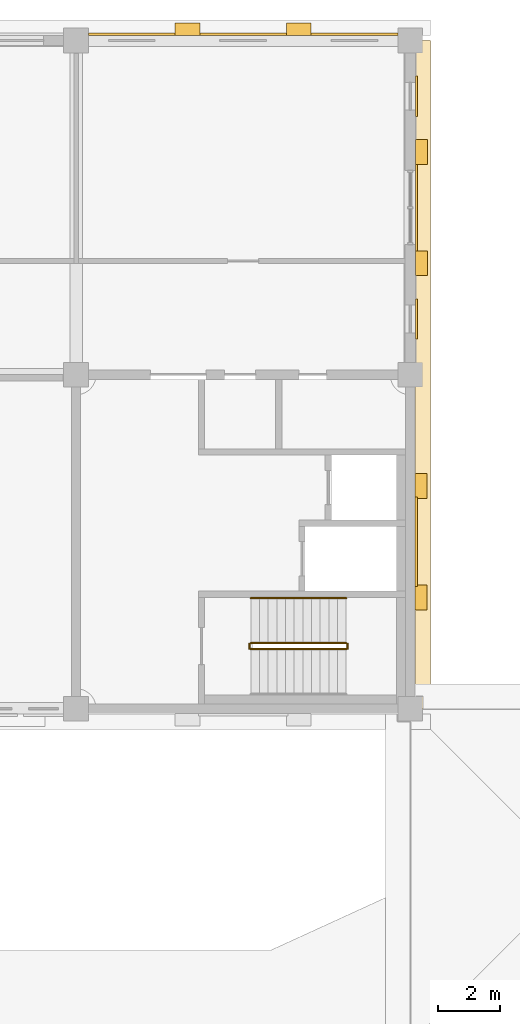
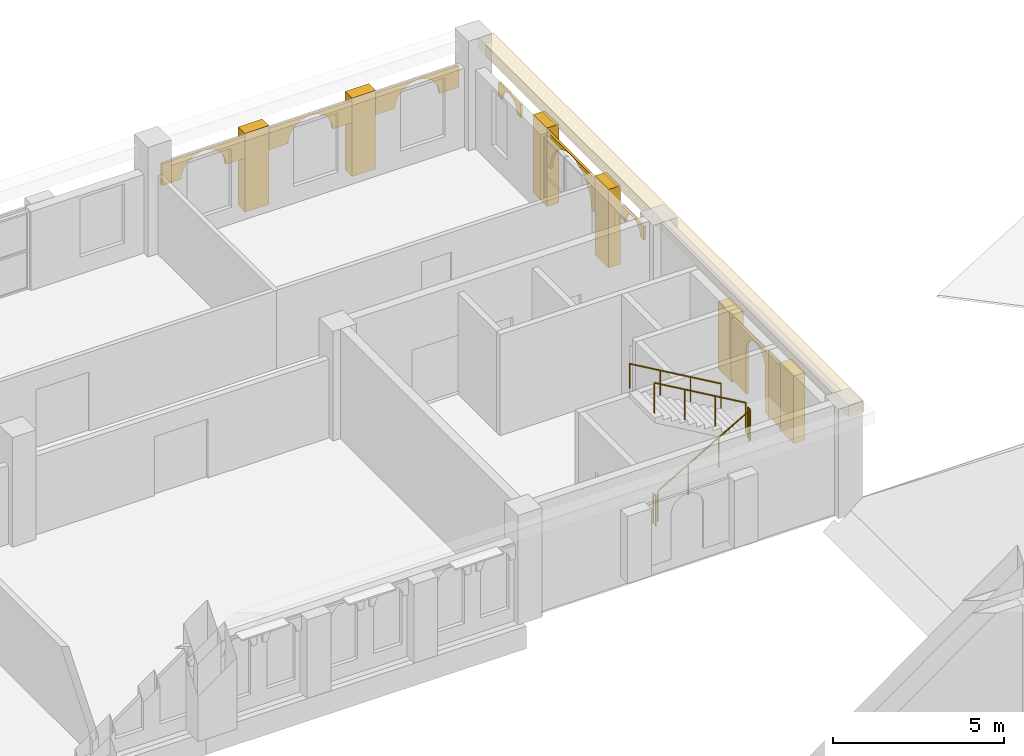
# One storey, part 55 of 56: 14 coverings, 5 railings.
"""IFC4 building model written with IfcOpenShell, lengths in metres."""

from ifc_helpers import new_model, si_unit, direction, frame, origin, origin_2d, place, context, subcontext, project, spatial, polyline, rectangle, circle, outline, extrude, material, layer, layer_set, type_object, element, save


model = new_model("IFC4")

# Units and contexts
model_context = context("Model", 3, precision=1e-05, world=origin(), true_north=direction((0.0, 1.0)))
body_context = subcontext(model_context, "Body", "Model", "MODEL_VIEW")
ifc_project = project(units=[si_unit("LENGTHUNIT", "METRE"), si_unit("AREAUNIT", "SQUARE_METRE"), si_unit("VOLUMEUNIT", "CUBIC_METRE"), si_unit("PLANEANGLEUNIT", "RADIAN"), si_unit("MASSUNIT", "GRAM", prefix="KILO")], contexts=[model_context])

# Site, building, storey
site_placement = place(None, origin())
site = spatial("IfcSite", under=ifc_project, at=site_placement, CompositionType="ELEMENT")
building_placement = place(site_placement, origin())
building = spatial("IfcBuilding", under=site, at=building_placement, Name="Magnolia Steps Interchange", CompositionType="ELEMENT")
storey_placement = place(building_placement, frame((0.0, 0.0, 8.699951171875)))
storey = spatial("IfcBuildingStorey", under=building, at=storey_placement, Name="L02", CompositionType="ELEMENT", Elevation=8.699951171875)

# Coverings
ifc_material_1 = material(Name="Lime render")
ifc_layer_1 = layer(ifc_material_1, 0.080078125)
ifc_layer_set_1 = layer_set([ifc_layer_1], Name="Lime render arch infill")
covering_type_1 = type_object("IfcCoveringType", Name="Lime render arch infill", PredefinedType="CLADDING", material=ifc_layer_set_1)
covering_1_placement = place(storey_placement, frame((118.16259765625, 111.199951171875, 1.47998046875), z_axis=(-1.0, 0.0, 0.0), x_axis=(0.0, 0.0, 1.0)))
element("IfcCovering", 1, at=covering_1_placement, inside=storey, type_object=covering_type_1, Name="Arched head over opening g2", PredefinedType="CLADDING", context=body_context, shape_type="SweptSolid", body=[
    extrude(outline(polyline([(0.0, 0.0), (1.219970703, 0.0), (1.219970703, 2.800048828), (0.0, 2.800048828), (0.0, 2.600097656), (0.267089844, 2.570068359), (0.520751953, 2.481201172), (0.748291016, 2.338134766), (0.938232422, 2.148193359), (1.081298828, 1.920654297), (1.169921875, 1.666992188), (1.199951172, 1.400146484), (1.169921875, 1.133056641), (1.081298828, 0.879394531), (0.938232422, 0.651855469), (0.748291016, 0.461914062), (0.520751953, 0.318847656), (0.267089844, 0.230224609), (0.0, 0.199951172), (0.0, 0.0)])), origin(), (0.0, 0.0, -1.0), 0.080078125),
])
covering_2_placement = place(storey_placement, frame((118.16259765625, 108.35009765625, 2.22998046875), z_axis=(-1.0, 0.0, 0.0), x_axis=(0.0, 0.0, 1.0)))
element("IfcCovering", 2, at=covering_2_placement, inside=storey, type_object=covering_type_1, Name="Arched head over opening W00180", PredefinedType="CLADDING", context=body_context, shape_type="SweptSolid", body=[
    extrude(outline(polyline([(0.0, 0.0), (0.469970703, 0.0), (0.469970703, 1.299804688), (0.0, 1.299804688), (0.0, 1.099853516), (0.100097656, 1.088623047), (0.1953125, 1.055419922), (0.280761719, 1.001708984), (0.351806641, 0.930419922), (0.405517578, 0.845214844), (0.438720703, 0.75), (0.449951172, 0.649902344), (0.438720703, 0.549804688), (0.405517578, 0.454589844), (0.351806641, 0.369384766), (0.280761719, 0.298095703), (0.1953125, 0.244384766), (0.100097656, 0.211181641), (0.0, 0.199951172), (0.0, 0.0)])), origin(), (0.0, 0.0, -1.0), 0.080078125),
])
covering_3_placement = place(storey_placement, frame((118.16259765625, 115.550048828125, 2.22998046875), z_axis=(-1.0, 0.0, 0.0), x_axis=(0.0, 0.0, 1.0)))
element("IfcCovering", 3, at=covering_3_placement, inside=storey, type_object=covering_type_1, Name="Arched head over opening W00240", PredefinedType="CLADDING", context=body_context, shape_type="SweptSolid", body=[
    extrude(outline(polyline([(0.0, 0.0), (0.469970703, 0.0), (0.469970703, 1.300048828), (0.0, 1.300048828), (0.0, 1.099853516), (0.100097656, 1.088623047), (0.1953125, 1.055419922), (0.280761719, 1.001708984), (0.351806641, 0.930664062), (0.405517578, 0.845214844), (0.438720703, 0.75), (0.449951172, 0.649902344), (0.438720703, 0.549804688), (0.405517578, 0.454833984), (0.351806641, 0.369384766), (0.280761719, 0.298095703), (0.1953125, 0.244628906), (0.100097656, 0.211181641), (0.0, 0.199951172), (0.0, 0.0)])), origin(), (0.0, 0.0, -1.0), 0.080078125),
])
covering_4_placement = place(storey_placement, frame((108.25, 118.16259765625, 1.929931640625), z_axis=(0.0, -1.0, 0.0), x_axis=(0.111866505497, 0.0, 0.993723243639)))
element("IfcCovering", 4, at=covering_4_placement, inside=storey, type_object=covering_type_1, Name="Arched head over opening W00600", PredefinedType="CLADDING", context=body_context, shape_type="SweptSolid", body=[
    extrude(outline(polyline([(0.0, 0.0), (0.168046977, 0.0), (0.331699341, -0.037347123), (0.483135814, -0.110219323), (0.61434394, -0.2150963), (0.71903364, -0.346298397), (0.791830647, -0.497551495), (0.829192312, -0.661392554), (0.829192312, -0.829439531), (0.791845189, -0.993091895), (0.718945677, -1.144285759), (0.61433862, -1.275709182), (0.482893915, -1.380426194), (0.331640817, -1.453223201), (0.167799758, -1.490584865), (0.240502062, -2.136407931), (1.005688369, -2.050268536), (0.692484002, 0.731962459), (-0.072702304, 0.645823065), (0.0, 0.0)])), origin(), (0.0, 0.0, -1.0), 0.080078125),
])
covering_5_placement = place(storey_placement, frame((111.85009765625, 118.16259765625, 1.929931640625), z_axis=(0.0, -1.0, 0.0), x_axis=(0.111866505497, 0.0, 0.993723243639)))
element("IfcCovering", 5, at=covering_5_placement, inside=storey, type_object=covering_type_1, Name="Arched head over opening W00960", PredefinedType="CLADDING", context=body_context, shape_type="SweptSolid", body=[
    extrude(outline(polyline([(0.0, 0.0), (0.168046977, 0.0), (0.331699341, -0.037347123), (0.483135814, -0.110219323), (0.614316629, -0.214853692), (0.71903364, -0.346298397), (0.791830647, -0.497551495), (0.829192312, -0.661392554), (0.829165001, -0.829196923), (0.791817878, -0.992849287), (0.718945677, -1.144285759), (0.614311308, -1.275466574), (0.482866604, -1.380183586), (0.331640817, -1.453223201), (0.167799758, -1.490584865), (0.240502062, -2.136407931), (1.005688369, -2.050268536), (0.692456691, 0.732205067), (-0.072729615, 0.646065673), (0.0, 0.0)])), origin(), (0.0, 0.0, -1.0), 0.080078125),
])
covering_6_placement = place(storey_placement, frame((115.449951171875, 118.16259765625, 1.929931640625), z_axis=(0.0, -1.0, 0.0), x_axis=(0.111866505497, 0.0, 0.993723243639)))
element("IfcCovering", 6, at=covering_6_placement, inside=storey, type_object=covering_type_1, Name="Arched head over opening W01320", PredefinedType="CLADDING", context=body_context, shape_type="SweptSolid", body=[
    extrude(outline(polyline([(0.0, 0.0), (0.168046977, 0.0), (0.331726652, -0.037589731), (0.483135814, -0.110219323), (0.61434394, -0.2150963), (0.71903364, -0.346298397), (0.791857958, -0.497794103), (0.829192312, -0.661392554), (0.829192312, -0.829439531), (0.791845189, -0.993091895), (0.718945677, -1.144285759), (0.61433862, -1.275709182), (0.482893915, -1.380426194), (0.331640817, -1.453223201), (0.167799758, -1.490584865), (0.240529374, -2.136650539), (1.00571568, -2.050511145), (0.692484002, 0.731962459), (-0.072702304, 0.645823065), (0.0, 0.0)])), origin(), (0.0, 0.0, -1.0), 0.080078125),
])
covering_7_placement = place(storey_placement, frame((118.14990234375, 100.35009765625, 0.400146484375), z_axis=(-1.0, 0.0, 0.0), x_axis=(0.0, 0.0, 1.0)))
element("IfcCovering", 7, at=covering_7_placement, inside=storey, type_object=covering_type_1, Name="Arched niche OC-E L02 E", PredefinedType="CLADDING", context=body_context, shape_type="SweptSolid", body=[
    extrude(outline(polyline([(0.0, 0.0), (2.199951172, 0.0), (2.199951172, 2.899902344), (0.0, 2.899902344), (0.0, 2.0), (1.599853516, 2.0), (1.7421875, 1.981201172), (1.875, 1.926269531), (1.988769531, 1.838867188), (2.076171875, 1.724853516), (2.131103516, 1.592285156), (2.149902344, 1.449951172), (2.131103516, 1.307617188), (2.076171875, 1.174804688), (1.988769531, 1.061035156), (1.875, 0.973632812), (1.7421875, 0.918701172), (1.599853516, 0.899902344), (0.0, 0.899902344), (0.0, 0.0)])), origin(), (0.0, 0.0, -1.0), 0.080078125),
])
ifc_material_2 = material(Name="Lime render")
ifc_layer_2 = layer(ifc_material_2, 0.1201171875)
ifc_layer_set_2 = layer_set([ifc_layer_2], Name="Lime render band")
covering_type_2 = type_object("IfcCoveringType", Name="Lime render band", PredefinedType="CLADDING", material=ifc_layer_set_2)
covering_8_placement = place(storey_placement, frame((118.41259765625, 107.199951171875, 3.2001953125), z_axis=(0.0, 0.0, 1.0), x_axis=(1.0, 0.0, 0.0)))
element("IfcCovering", 8, at=covering_8_placement, inside=storey, type_object=covering_type_2, Name="String course L02 E", PredefinedType="CLADDING", context=body_context, shape_type="SweptSolid", body=[
    extrude(rectangle(XDim=0.5, YDim=21.60009765625, at=origin_2d()), origin(), (0.0, 0.0, 1.0), 0.39990234375),
])
ifc_material_3 = material(Name="Lime render")
ifc_layer_3 = layer(ifc_material_3, 0.39990234375)
ifc_layer_set_3 = layer_set([ifc_layer_3], Name="Lime render pilaster")
covering_type_3 = type_object("IfcCoveringType", Name="Lime render pilaster", PredefinedType="CLADDING", material=ifc_layer_set_3)
for number, where, z_axis, x_axis, name in (
    (9, (110.800048828125, 118.362548828125, 0.0), (0.0, 0.0, 1.0), (1.0, 0.0, 0.0), "Pilaster L02 N 9"),
    (10, (114.39990234375, 118.362548828125, 0.0), (0.0, 0.0, 1.0), (1.0, 0.0, 0.0), "Pilaster L02 N 10"),
):
    element("IfcCovering", number, at=place(storey_placement, frame(where, z_axis=z_axis, x_axis=x_axis)), inside=storey, type_object=covering_type_3, Name=name, PredefinedType="CLADDING", context=body_context, shape_type="SweptSolid", body=[
        extrude(rectangle(XDim=0.800048828125, YDim=0.39990234375, at=origin_2d()), origin(), (0.0, 0.0, 1.0), 2.800048828125),
    ])
for number, where, z_axis, x_axis, name in (
    (11, (118.362548828125, 110.800048828125, 0.0), (0.0, 0.0, 1.0), (1.0, 0.0, 0.0), "Pilaster L02 E 1"),
    (12, (118.362548828125, 114.39990234375, 0.0), (0.0, 0.0, 1.0), (1.0, 0.0, 0.0), "Pilaster L02 E 2"),
):
    element("IfcCovering", number, at=place(storey_placement, frame(where, z_axis=z_axis, x_axis=x_axis)), inside=storey, type_object=covering_type_3, Name=name, PredefinedType="CLADDING", context=body_context, shape_type="SweptSolid", body=[
        extrude(rectangle(XDim=0.39990234375, YDim=0.800048828125, at=origin_2d()), origin(), (0.0, 0.0, 1.0), 2.800048828125),
    ])
for number, where, z_axis, x_axis, name in (
    (13, (118.35009765625, 100.0, 0.300048828125), (0.0, 0.0, 1.0), (1.0, 0.0, 0.0), "Core pilaster OC-E L02 E 1"),
    (14, (118.35009765625, 103.60009765625, 0.300048828125), (0.0, 0.0, 1.0), (1.0, 0.0, 0.0), "Core pilaster OC-E L02 E 2"),
):
    element("IfcCovering", number, at=place(storey_placement, frame(where, z_axis=z_axis, x_axis=x_axis)), inside=storey, type_object=covering_type_3, Name=name, PredefinedType="CLADDING", context=body_context, shape_type="SweptSolid", body=[
        extrude(rectangle(XDim=0.39990234375, YDim=0.800048828125, at=origin_2d()), origin(), (0.0, 0.0, 1.0), 2.39990234375),
    ])

# Railings
ifc_material_4 = material(Name="Stainless steel grade 304", Category="steel")
railing_type_1 = type_object("IfcRailingType", Name="Stair guard 1100", PredefinedType="GUARDRAIL", material=ifc_material_4)
railing_1_placement = place(storey_placement, frame((112.85009765625, 98.325927734375, 0.16259765625)))
element("IfcRailing", 15, at=railing_1_placement, inside=storey, type_object=railing_type_1, Name="L02 ST29 stair guard 1", PredefinedType="GUARDRAIL", context=body_context, shape_type="SweptSolid", body=[
    extrude(circle(Radius=0.02392578125, at=origin_2d()), frame((0.0, 0.0, 1.076171875), z_axis=(0.864903211148, 0.0, 0.501938676878), x_axis=(0.0, 1.0, 0.0)), (0.0, 0.0, 1.0), 3.560791015625),
    extrude(circle(Radius=0.02099609375, at=origin_2d()), origin(), (0.0, 0.0, 1.0), 1.052001953125),
    extrude(circle(Radius=0.02099609375, at=origin_2d()), frame((1.026611328125, 0.0, 0.595703125)), (0.0, 0.0, 1.0), 1.052001953125),
    extrude(circle(Radius=0.02099609375, at=origin_2d()), frame((2.05322265625, 0.0, 1.191650390625)), (0.0, 0.0, 1.0), 1.052001953125),
    extrude(circle(Radius=0.02099609375, at=origin_2d()), frame((3.079833984375, 0.0, 1.787353515625)), (0.0, 0.0, 1.0), 1.052001953125),
])
railing_2_placement = place(storey_placement, frame((115.97998046875, 98.35009765625, 1.949951171875)))
element("IfcRailing", 16, at=railing_2_placement, inside=storey, type_object=railing_type_1, Name="L02 ST29 stair guard 2", PredefinedType="GUARDRAIL", context=body_context, shape_type="SweptSolid", body=[
    extrude(circle(Radius=0.02392578125, at=origin_2d()), frame((0.0, 0.0, 1.076171875), z_axis=(0.0, 1.0, 0.0), x_axis=(-1.0, 0.0, 0.0)), (0.0, 0.0, 1.0), 0.14990234375),
    extrude(circle(Radius=0.02099609375, at=origin_2d()), origin(), (0.0, 0.0, 1.0), 1.052001953125),
    extrude(circle(Radius=0.02099609375, at=origin_2d()), frame((0.0, 0.14990234375, 0.0)), (0.0, 0.0, 1.0), 1.052001953125),
])
railing_3_placement = place(storey_placement, frame((115.929931640625, 98.52392578125, 2.112548828125)))
element("IfcRailing", 17, at=railing_3_placement, inside=storey, type_object=railing_type_1, Name="L02 ST29 stair guard 3", PredefinedType="GUARDRAIL", context=body_context, shape_type="SweptSolid", body=[
    extrude(circle(Radius=0.02392578125, at=origin_2d()), frame((0.0, 0.0, 1.076171875), z_axis=(-0.864873446163, 0.0, 0.501989962173), x_axis=(0.0, -1.0, 0.0)), (0.0, 0.0, 1.0), 3.56103515625),
    extrude(circle(Radius=0.02099609375, at=origin_2d()), origin(), (0.0, 0.0, 1.0), 1.052001953125),
    extrude(circle(Radius=0.02099609375, at=origin_2d()), frame((-1.026611328125, 0.0, 0.595947265625)), (0.0, 0.0, 1.0), 1.052001953125),
    extrude(circle(Radius=0.02099609375, at=origin_2d()), frame((-2.05322265625, 0.0, 1.191650390625)), (0.0, 0.0, 1.0), 1.052001953125),
    extrude(circle(Radius=0.02099609375, at=origin_2d()), frame((-3.079833984375, 0.0, 1.78759765625)), (0.0, 0.0, 1.0), 1.052001953125),
])
railing_4_placement = place(storey_placement, frame((112.800048828125, 98.35009765625, 0.0)))
element("IfcRailing", 18, at=railing_4_placement, inside=storey, type_object=railing_type_1, Name="L02 ST29 stair guard 4", PredefinedType="GUARDRAIL", context=body_context, shape_type="SweptSolid", body=[
    extrude(circle(Radius=0.02392578125, at=origin_2d()), frame((0.0, 0.0, 1.076171875), z_axis=(0.0, 1.0, 0.0), x_axis=(-1.0, 0.0, 0.0)), (0.0, 0.0, 1.0), 0.14990234375),
    extrude(circle(Radius=0.02099609375, at=origin_2d()), origin(), (0.0, 0.0, 1.0), 1.052001953125),
    extrude(circle(Radius=0.02099609375, at=origin_2d()), frame((0.0, 0.14990234375, 0.0)), (0.0, 0.0, 1.0), 1.052001953125),
])
ifc_material_5 = material(Name="Stainless steel grade 304", Category="steel")
railing_type_2 = type_object("IfcRailingType", Name="Stair handrail 900", PredefinedType="HANDRAIL", material=ifc_material_5)
railing_5_placement = place(storey_placement, frame((115.929931640625, 99.97607421875, 2.112548828125)))
element("IfcRailing", 19, at=railing_5_placement, inside=storey, type_object=railing_type_2, Name="L02 ST29 stair handrail 2", PredefinedType="HANDRAIL", context=body_context, shape_type="SweptSolid", body=[
    extrude(circle(Radius=0.02392578125, at=origin_2d()), frame((0.0, 0.0, 0.8759765625), z_axis=(-0.864873446163, 0.0, 0.501989962173), x_axis=(0.0, -1.0, 0.0)), (0.0, 0.0, 1.0), 3.56103515625),
    extrude(circle(Radius=0.02099609375, at=origin_2d()), origin(), (0.0, 0.0, 1.0), 0.851806640625),
    extrude(circle(Radius=0.02099609375, at=origin_2d()), frame((-1.026611328125, 0.0, 0.595947265625)), (0.0, 0.0, 1.0), 0.851806640625),
    extrude(circle(Radius=0.02099609375, at=origin_2d()), frame((-2.05322265625, 0.0, 1.191650390625)), (0.0, 0.0, 1.0), 0.851806640625),
    extrude(circle(Radius=0.02099609375, at=origin_2d()), frame((-3.079833984375, 0.0, 1.78759765625)), (0.0, 0.0, 1.0), 0.851806640625),
])

save(model, "model.ifc")
